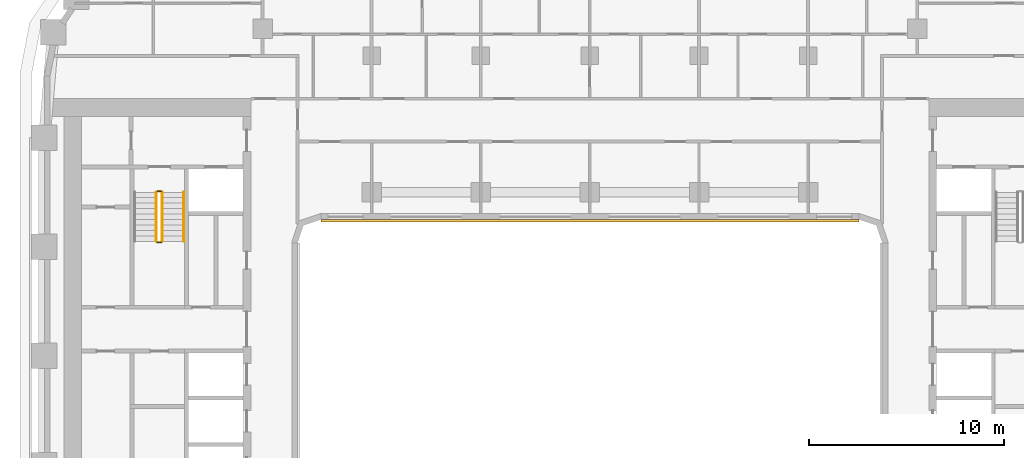
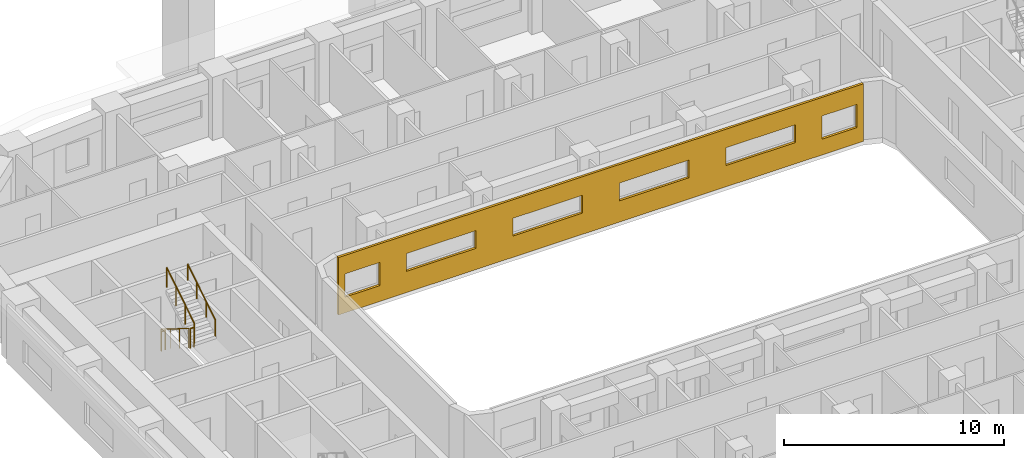
# One storey, part 17 of 19: 5 railings, 1 covering.
"""IFC4 building model written with IfcOpenShell, lengths in metres."""

from ifc_helpers import new_model, si_unit, direction, frame, origin, origin_2d, place, context, subcontext, project, spatial, polyline, circle, outline, extrude, material, layer, layer_set, type_object, element, save


model = new_model("IFC4")

# Units and contexts
model_context = context("Model", 3, precision=1e-05, world=origin(), true_north=direction((0.0, 1.0)))
body_context = subcontext(model_context, "Body", "Model", "MODEL_VIEW")
ifc_project = project(units=[si_unit("LENGTHUNIT", "METRE"), si_unit("AREAUNIT", "SQUARE_METRE"), si_unit("VOLUMEUNIT", "CUBIC_METRE"), si_unit("PLANEANGLEUNIT", "RADIAN"), si_unit("MASSUNIT", "GRAM", prefix="KILO")], contexts=[model_context])

# Site, building, storey
site_placement = place(None, origin())
site = spatial("IfcSite", under=ifc_project, at=site_placement, CompositionType="ELEMENT")
building_placement = place(site_placement, origin())
building = spatial("IfcBuilding", under=site, at=building_placement, Name="Kiln Ring Residences", CompositionType="ELEMENT")
storey_placement = place(building_placement, frame((0.0, 0.0, 104.300048828125)))
storey = spatial("IfcBuildingStorey", under=building, at=storey_placement, Name="L26", CompositionType="ELEMENT", Elevation=104.300048828125)

# Railings
ifc_material_1 = material(Name="Stainless steel", Category="steel")
railing_type_1 = type_object("IfcRailingType", Name="CORE-STAIR-GUARD", PredefinedType="GUARDRAIL", material=ifc_material_1)
railing_1_placement = place(storey_placement, frame((-22.25, 8.39990234375, 0.175048828125)))
element("IfcRailing", 1, at=railing_1_placement, inside=storey, type_object=railing_type_1, Name="L26 W-STN stair guard 1", PredefinedType="GUARDRAIL", context=body_context, shape_type="SweptSolid", body=[
    extrude(circle(Radius=0.02392578125, at=origin_2d()), frame((0.0, 0.0, 1.076171875), z_axis=(0.0, -0.848007534815, 0.529984170421), x_axis=(1.0, 0.0, 0.0)), (0.0, 0.0, 1.0), 2.9716796875),
    extrude(circle(Radius=0.02099609375, at=origin_2d()), origin(), (0.0, 0.0, 1.0), 1.052001953125),
    extrude(circle(Radius=0.02099609375, at=origin_2d()), frame((0.0, -0.840087890625, 0.52490234375)), (0.0, 0.0, 1.0), 1.052001953125),
    extrude(circle(Radius=0.02099609375, at=origin_2d()), frame((0.0, -1.679931640625, 1.050048828125)), (0.0, 0.0, 1.0), 1.052001953125),
    extrude(circle(Radius=0.02099609375, at=origin_2d()), frame((0.0, -2.52001953125, 1.574951171875)), (0.0, 0.0, 1.0), 1.052001953125),
])
railing_2_placement = place(storey_placement, frame((-22.199951171875, 5.830078125, 1.75)))
element("IfcRailing", 2, at=railing_2_placement, inside=storey, type_object=railing_type_1, Name="L26 W-STN stair guard 2", PredefinedType="GUARDRAIL", context=body_context, shape_type="SweptSolid", body=[
    extrude(circle(Radius=0.02392578125, at=origin_2d()), frame((0.0, 0.0, 1.076171875), z_axis=(1.0, 0.0, 0.0), x_axis=(0.0, 1.0, 0.0)), (0.0, 0.0, 1.0), 0.199951171875),
    extrude(circle(Radius=0.02099609375, at=origin_2d()), origin(), (0.0, 0.0, 1.0), 1.052001953125),
    extrude(circle(Radius=0.02099609375, at=origin_2d()), frame((0.199951171875, 0.0, 0.0)), (0.0, 0.0, 1.0), 1.052001953125),
])
railing_3_placement = place(storey_placement, frame((-21.949951171875, 5.8798828125, 1.925048828125)))
element("IfcRailing", 3, at=railing_3_placement, inside=storey, type_object=railing_type_1, Name="L26 W-STN stair guard 3", PredefinedType="GUARDRAIL", context=body_context, shape_type="SweptSolid", body=[
    extrude(circle(Radius=0.02392578125, at=origin_2d()), frame((0.0, 0.0, 1.076171875), z_axis=(0.0, 0.848007534815, 0.529984170421), x_axis=(-1.0, 0.0, 0.0)), (0.0, 0.0, 1.0), 2.9716796875),
    extrude(circle(Radius=0.02099609375, at=origin_2d()), origin(), (0.0, 0.0, 1.0), 1.052001953125),
    extrude(circle(Radius=0.02099609375, at=origin_2d()), frame((0.0, 0.840087890625, 0.52490234375)), (0.0, 0.0, 1.0), 1.052001953125),
    extrude(circle(Radius=0.02099609375, at=origin_2d()), frame((0.0, 1.679931640625, 1.050048828125)), (0.0, 0.0, 1.0), 1.052001953125),
    extrude(circle(Radius=0.02099609375, at=origin_2d()), frame((0.0, 2.52001953125, 1.574951171875)), (0.0, 0.0, 1.0), 1.052001953125),
])
railing_4_placement = place(storey_placement, frame((-22.199951171875, 8.449951171875, 0.0)))
element("IfcRailing", 4, at=railing_4_placement, inside=storey, type_object=railing_type_1, Name="L26 W-STN stair guard 4", PredefinedType="GUARDRAIL", context=body_context, shape_type="SweptSolid", body=[
    extrude(circle(Radius=0.02392578125, at=origin_2d()), frame((0.0, 0.0, 1.076171875), z_axis=(1.0, 0.0, 0.0), x_axis=(0.0, 1.0, 0.0)), (0.0, 0.0, 1.0), 0.199951171875),
    extrude(circle(Radius=0.02099609375, at=origin_2d()), origin(), (0.0, 0.0, 1.0), 1.052001953125),
    extrude(circle(Radius=0.02099609375, at=origin_2d()), frame((0.199951171875, 0.0, 0.0)), (0.0, 0.0, 1.0), 1.052001953125),
])
ifc_material_2 = material(Name="Stainless steel", Category="steel")
railing_type_2 = type_object("IfcRailingType", Name="CORE-STAIR-HANDRAIL", PredefinedType="HANDRAIL", material=ifc_material_2)
railing_5_placement = place(storey_placement, frame((-20.85009765625, 5.8798828125, 1.925048828125)))
element("IfcRailing", 5, at=railing_5_placement, inside=storey, type_object=railing_type_2, Name="L26 W-STN stair handrail 2", PredefinedType="HANDRAIL", context=body_context, shape_type="SweptSolid", body=[
    extrude(circle(Radius=0.02392578125, at=origin_2d()), frame((0.0, 0.0, 0.8759765625), z_axis=(0.0, 0.848007534815, 0.529984170421), x_axis=(-1.0, 0.0, 0.0)), (0.0, 0.0, 1.0), 2.9716796875),
    extrude(circle(Radius=0.02099609375, at=origin_2d()), origin(), (0.0, 0.0, 1.0), 0.851806640625),
    extrude(circle(Radius=0.02099609375, at=origin_2d()), frame((0.0, 0.840087890625, 0.52490234375)), (0.0, 0.0, 1.0), 0.851806640625),
    extrude(circle(Radius=0.02099609375, at=origin_2d()), frame((0.0, 1.679931640625, 1.050048828125)), (0.0, 0.0, 1.0), 0.851806640625),
    extrude(circle(Radius=0.02099609375, at=origin_2d()), frame((0.0, 2.52001953125, 1.574951171875)), (0.0, 0.0, 1.0), 0.851806640625),
])

# Covering
ifc_material_3 = material(Name="Brick masonry, dark clay brick", Category="masonry")
ifc_layer = layer(ifc_material_3, 0.1201171875)
ifc_layer_set = layer_set([ifc_layer], Name="RAINSCREEN PANEL 120")
covering_type = type_object("IfcCoveringType", Name="RAINSCREEN PANEL 120", PredefinedType="CLADDING", material=ifc_layer_set)
covering_placement = place(storey_placement, frame((-13.800048828125, 6.93994140625, 0.0), z_axis=(0.0, 0.0, 1.0), x_axis=(1.0, 0.0, 0.0)))
element("IfcCovering", 6, at=covering_placement, inside=storey, type_object=covering_type, Name="RAINSCREEN L26", PredefinedType="CLADDING", context=body_context, shape_type="SweptSolid", body=[
    extrude(outline(polyline([(0.0, 0.0), (27.60009765625, 0.0), (27.60009765625, 3.199951171875), (0.0, 3.199951171875), (0.0, 0.0)]), holes=[polyline([(2.1826171875, 0.8798828125), (2.1826171875, 2.169921875), (0.342529296875, 2.169921875), (0.342529296875, 0.8798828125), (2.1826171875, 0.8798828125)]), polyline([(25.41748046875, 0.8798828125), (27.257568359375, 0.8798828125), (27.257568359375, 2.169921875), (25.41748046875, 2.169921875), (25.41748046875, 0.8798828125)]), polyline([(3.580078125, 1.179931640625), (7.219970703125, 1.179931640625), (7.219970703125, 2.169921875), (3.580078125, 2.169921875), (3.580078125, 1.179931640625)]), polyline([(12.820068359375, 1.179931640625), (12.820068359375, 2.169921875), (9.179931640625, 2.169921875), (9.179931640625, 1.179931640625), (12.820068359375, 1.179931640625)]), polyline([(14.780029296875, 1.179931640625), (18.419921875, 1.179931640625), (18.419921875, 2.169921875), (14.780029296875, 2.169921875), (14.780029296875, 1.179931640625)]), polyline([(20.3798828125, 1.179931640625), (24.02001953125, 1.179931640625), (24.02001953125, 2.169921875), (20.3798828125, 2.169921875), (20.3798828125, 1.179931640625)])]), frame((0.0, 0.06005859375, 0.0), z_axis=(0.0, -1.0, 0.0), x_axis=(1.0, 0.0, 0.0)), (0.0, 0.0, 1.0), 0.1201171875),
])

save(model, "model.ifc")
